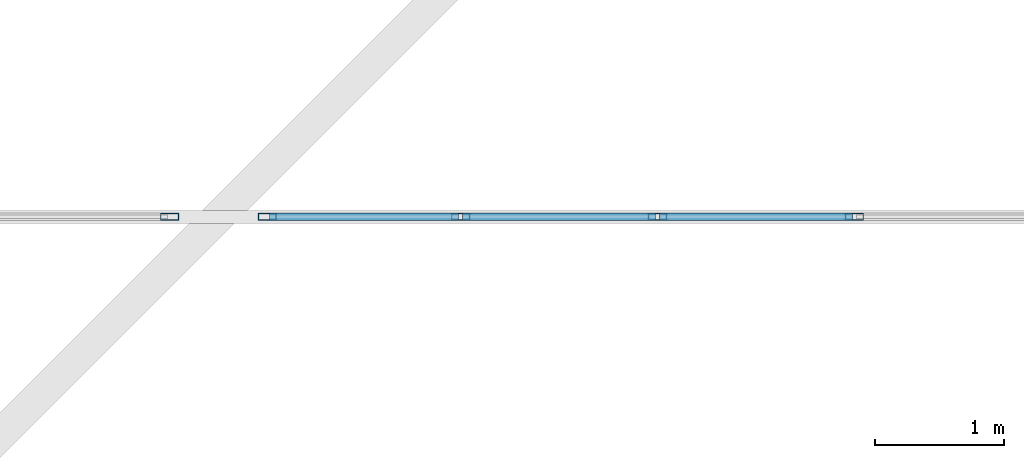
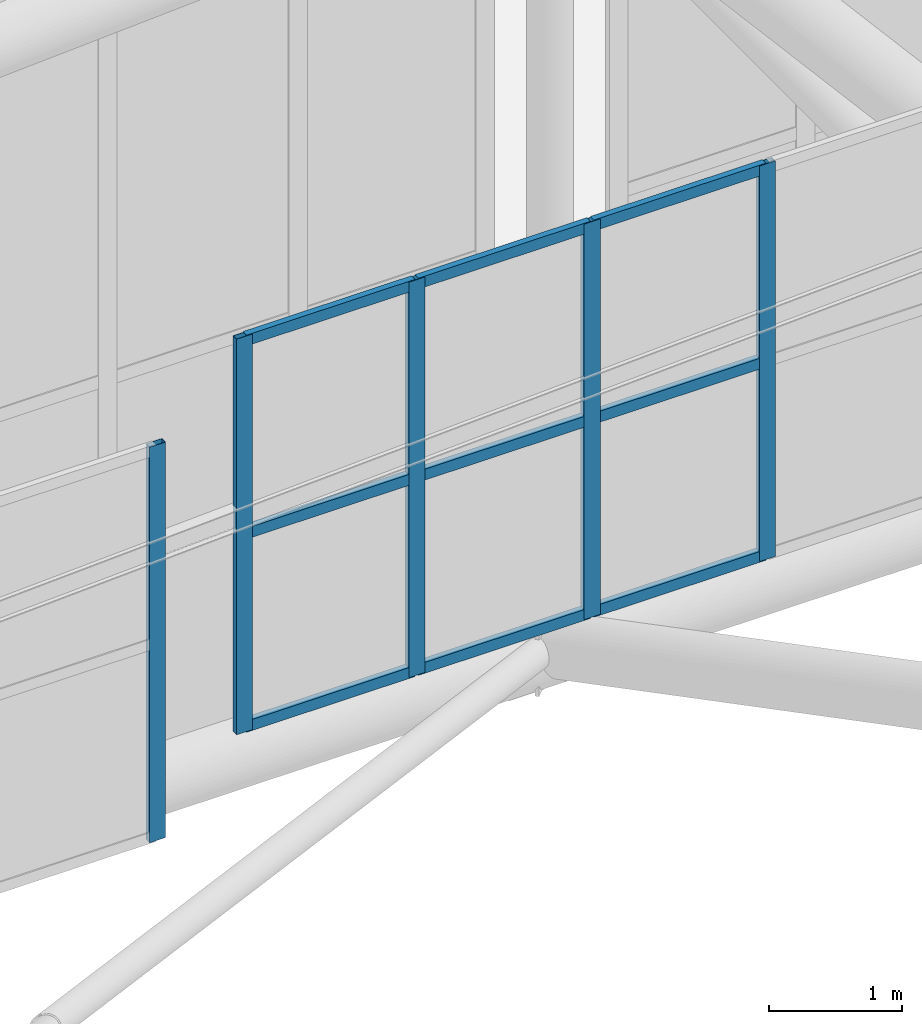
# One storey, part 249 of 397: 14 members, 2 elements without a shape of their own.
"""IFC4 building model written with IfcOpenShell, lengths in metres."""

import ifcopenshell
import ifcopenshell.guid

model = None  # the IFC model being written
_history = None  # IfcOwnerHistory: only IFC2X3 demands one
_inside = {}  # id of a spatial element -> (the spatial element, [elements in it])
_under = {}  # id of a project, library or spatial element -> (it, [spatial elements below it])
_declared = {}  # id of a project -> (the project, [libraries it declares])
_typed = {}  # id of a type object -> (the type object, [elements of that type])
_made_of = {}  # id of a material, layer set ... -> (it, [elements and type objects made of it])


def new_model(schema):
    """Start an empty IFC model of exactly this schema.

    Asked for "IFC4X3", IfcOpenShell would pick the latest addendum, in which some entities
    have other attributes; the version numbers below select the first issue.
    IFC2X3 requires an IfcOwnerHistory on every rooted entity: one is made here for all.
    """
    global model, _history
    if schema == "IFC4X3":
        model = ifcopenshell.file(schema_version=(4, 3, 0, 0))
    else:
        model = ifcopenshell.file(schema=schema)
    _inside.clear()
    _under.clear()
    _declared.clear()
    _typed.clear()
    _made_of.clear()
    _history = None
    if model.schema == "IFC2X3":
        org = make("IfcOrganization", Name="unknown")
        user = make(
            "IfcPersonAndOrganization",
            ThePerson=make("IfcPerson", FamilyName="unknown"),
            TheOrganization=org,
        )
        app = make(
            "IfcApplication",
            ApplicationDeveloper=org,
            Version="unknown",
            ApplicationFullName="unknown",
            ApplicationIdentifier="unknown",
        )
        _history = make(
            "IfcOwnerHistory",
            OwningUser=user,
            OwningApplication=app,
            ChangeAction="ADDED",
            CreationDate=0,
        )
    return model


def make(cls, **values):
    """One entity of the class cls with the attributes given. An attribute that is None is left unset."""
    return model.create_entity(
        cls, **{name: value for name, value in values.items() if value is not None}
    )


def rooted(cls, **values):
    """An entity with a GlobalId (a new one), such as an element, a storey or a relation."""
    return make(cls, GlobalId=ifcopenshell.guid.new(), OwnerHistory=_history, **values)


def si_unit(unit_type, name, prefix=None):
    """IfcSIUnit, for example si_unit("LENGTHUNIT", "METRE", prefix="MILLI")."""
    return make("IfcSIUnit", UnitType=unit_type, Prefix=prefix, Name=name)


def assignment(units):
    """IfcUnitAssignment: the units of a project."""
    return None if units is None else make("IfcUnitAssignment", Units=units)


def point(xyz):
    """IfcCartesianPoint."""
    return None if xyz is None else make("IfcCartesianPoint", Coordinates=xyz)


def direction(xyz):
    """IfcDirection."""
    return None if xyz is None else make("IfcDirection", DirectionRatios=xyz)


def frame(location, z_axis=None, x_axis=None):
    """IfcAxis2Placement3D, a coordinate frame: its origin and axes. An axis left out is left unset."""
    return make(
        "IfcAxis2Placement3D",
        Location=point(location),
        Axis=direction(z_axis),
        RefDirection=direction(x_axis),
    )


def frame_2d(location, x_axis=None):
    """IfcAxis2Placement2D, a coordinate frame in the plane: its origin and x axis."""
    return make(
        "IfcAxis2Placement2D", Location=point(location), RefDirection=direction(x_axis)
    )


def origin():
    """The frame at (0, 0, 0) with its axes left unset."""
    return frame((0.0, 0.0, 0.0))


def origin_2d():
    """The frame at (0, 0) in the plane with its x axis left unset."""
    return frame_2d((0.0, 0.0))


def place(relative_to, where):
    """IfcLocalPlacement: puts the frame where relative to a parent placement (None: the world)."""
    return make(
        "IfcLocalPlacement", PlacementRelTo=relative_to, RelativePlacement=where
    )


def context(
    kind, dimensions, precision=None, world=None, true_north=None, identifier=None
):
    """IfcGeometricRepresentationContext, for example the 3D "Model" context."""
    return make(
        "IfcGeometricRepresentationContext",
        ContextIdentifier=identifier,
        ContextType=kind,
        CoordinateSpaceDimension=dimensions,
        Precision=precision,
        WorldCoordinateSystem=world,
        TrueNorth=true_north,
    )


def subcontext(parent, identifier, kind, view, scale=None):
    """IfcGeometricRepresentationSubContext, for example "Body" below "Model"."""
    return make(
        "IfcGeometricRepresentationSubContext",
        ContextIdentifier=identifier,
        ContextType=kind,
        ParentContext=parent,
        TargetScale=scale,
        TargetView=view,
    )


def project(units=None, contexts=None):
    """IfcProject with its units and contexts."""
    return rooted(
        "IfcProject",
        Name="project",
        RepresentationContexts=contexts,
        UnitsInContext=assignment(units),
    )


def spatial(cls, under=None, at=None, **own):
    """A site, building, storey or space (cls), placed at a placement, below another one or the project."""
    s = rooted(cls, ObjectPlacement=at, **own)
    if under is not None:
        _under.setdefault(under.id(), (under, []))[1].append(s)
    return s


def profile(cls, at=None, kind="AREA", **sizes):
    """A parametric profile (cls). Its sizes go by their IFC names, for example OverallWidth=200.0."""
    return make(cls, ProfileType=kind, Position=at, **sizes)


def hollow_rectangle(**sizes):
    """IfcRectangleHollowProfileDef."""
    return profile("IfcRectangleHollowProfileDef", **sizes)


def extrude(swept, where, along, depth):
    """IfcExtrudedAreaSolid: the profile swept, set in the frame where, extruded along a direction by depth."""
    return make(
        "IfcExtrudedAreaSolid",
        SweptArea=swept,
        Position=where,
        ExtrudedDirection=direction(along),
        Depth=depth,
    )


def shape(context_of_items, identifier, shape_type, items):
    """IfcShapeRepresentation: the items that make up one representation, for example the "Body"."""
    return make(
        "IfcShapeRepresentation",
        ContextOfItems=context_of_items,
        RepresentationIdentifier=identifier,
        RepresentationType=shape_type,
        Items=items,
    )


def material(Name=None, Category=None):
    """IfcMaterial."""
    return make("IfcMaterial", Name=Name, Category=Category)


def material_profile(
    of_material, cross_section, Name=None, Category=None, Priority=None
):
    """IfcMaterialProfile: a cross section and its material."""
    return make(
        "IfcMaterialProfile",
        Name=Name,
        Material=of_material,
        Profile=cross_section,
        Priority=Priority,
        Category=Category,
    )


def profile_set(profiles, Name=None, composite=None):
    """IfcMaterialProfileSet."""
    return make(
        "IfcMaterialProfileSet",
        Name=Name,
        MaterialProfiles=profiles,
        CompositeProfile=composite,
    )


def made_of(thing, what):
    """Note that an element or type object is made of a material, layer set ...; save() writes the relation."""
    if what is not None:
        _made_of.setdefault(what.id(), (what, []))[1].append(thing)
    return thing


def type_object(cls, material=None, **own):
    """A type object (cls), such as IfcWallType, which elements share."""
    return made_of(rooted(cls, **own), material)


def element(
    cls,
    number,
    at=None,
    inside=None,
    cuts=None,
    type_object=None,
    material=None,
    context=None,
    identifier="Body",
    shape_type=None,
    held_by="IfcProductDefinitionShape",
    body=None,
    shapes=None,
    **own,
):
    """One element of the class cls, such as IfcWall. Its Tag is "e" and its number.

    at: its placement. inside: the storey or other place that contains it. cuts: it is an
    opening in that element (IfcRelVoidsElement). A single representation is given by context,
    identifier, shape_type and body (its items); several are given by shapes. held_by: the class
    of the entity that holds the representations. save() writes the other relations.
    """
    e = rooted(cls, Tag="e%d" % number, ObjectPlacement=at, **own)
    if body is not None:
        shapes = [shape(context, identifier, shape_type, body)]
    if shapes is not None:
        e.Representation = make(held_by, Representations=shapes)
    if inside is not None:
        _inside.setdefault(inside.id(), (inside, []))[1].append(e)
    if cuts is not None:
        rooted(
            "IfcRelVoidsElement", RelatingBuildingElement=cuts, RelatedOpeningElement=e
        )
    if type_object is not None:
        _typed.setdefault(type_object.id(), (type_object, []))[1].append(e)
    return made_of(e, material)


def aggregate(whole, parts):
    """IfcRelAggregates: a whole, such as a stair, and the parts it consists of."""
    return rooted("IfcRelAggregates", RelatingObject=whole, RelatedObjects=parts)


def save(model, path):
    """Write the relations noted so far, then the file.

    IfcRelAggregates (storeys below a building ...), IfcRelContainedInSpatialStructure (elements
    in a storey), IfcRelDefinesByType, IfcRelAssociatesMaterial and IfcRelDeclares: one each for
    every whole, place, type object, material and project.
    """
    for whole, parts in _under.values():
        aggregate(whole, parts)
    for where, things in _inside.values():
        rooted(
            "IfcRelContainedInSpatialStructure",
            RelatedElements=things,
            RelatingStructure=where,
        )
    for kind, things in _typed.values():
        rooted("IfcRelDefinesByType", RelatedObjects=things, RelatingType=kind)
    for what, things in _made_of.values():
        rooted("IfcRelAssociatesMaterial", RelatedObjects=things, RelatingMaterial=what)
    for by, libraries in _declared.values():
        rooted("IfcRelDeclares", RelatingContext=by, RelatedDefinitions=libraries)
    model.write(path)


model = new_model("IFC4")

# Units and contexts
model_context = context("Model", 3, precision=1e-05, world=origin(), true_north=direction((0.0, 1.0)))
body_context = subcontext(model_context, "Body", "Model", "MODEL_VIEW")
ifc_project = project(units=[si_unit("LENGTHUNIT", "METRE"), si_unit("AREAUNIT", "SQUARE_METRE"), si_unit("VOLUMEUNIT", "CUBIC_METRE"), si_unit("PLANEANGLEUNIT", "RADIAN"), si_unit("MASSUNIT", "GRAM", prefix="KILO")], contexts=[model_context])

# Site, building, storey
site_placement = place(None, origin())
site = spatial("IfcSite", under=ifc_project, at=site_placement, CompositionType="ELEMENT")
building_placement = place(site_placement, origin())
building = spatial("IfcBuilding", under=site, at=building_placement, Name="Qandorah Velis Arena", CompositionType="ELEMENT")
storey_placement = place(building_placement, frame((0.0, 0.0, 27.5)))
storey = spatial("IfcBuildingStorey", under=building, at=storey_placement, Name="RF", CompositionType="ELEMENT", Elevation=27.5)

# Curtain wall, member
ifc_material_1 = material(Name="Solar-control low-E double glazing", Category="glass")
curtain_wall_type_1 = type_object("IfcCurtainWallType", Name="ARC-CW-SYS02", PredefinedType="USERDEFINED", material=ifc_material_1)
curtain_wall_1_placement = place(storey_placement, origin())
curtain_wall_1 = element("IfcCurtainWall", 1, at=curtain_wall_1_placement, inside=storey, type_object=curtain_wall_type_1, Name="Unitised curtain wall MON-4-2", ObjectType="UNITISED CURTAIN WALL", PredefinedType="USERDEFINED")
ifc_material_2 = material(Name="Champagne-bronze anodized aluminium 6063-T6", Category="aluminium")
ifc_material_profile_1 = material_profile(ifc_material_2, hollow_rectangle(XDim=0.054931640625, YDim=0.139892578125, WallThickness=0.0029296875, at=origin_2d()), Name="ALU MULLION 55x140")
ifc_profile_set_1 = profile_set([ifc_material_profile_1], Name="Champagne-bronze anodized aluminium 6063-T6")
member_type_1 = type_object("IfcMemberType", Name="ARC-CWM-140", PredefinedType="MULLION", material=ifc_profile_set_1)
member_1_placement = place(storey_placement, frame((50.0224609375, 108.0, 5.337646484375), z_axis=(0.0, 0.0, 1.0), x_axis=(0.0, 1.0, 0.0)))
member_1 = element("IfcMember", 2, at=member_1_placement, type_object=member_type_1, Name="CW02 mullion 10", PredefinedType="MULLION", context=body_context, shape_type="SweptSolid", body=[
    extrude(hollow_rectangle(XDim=0.054931640625, YDim=0.139892578125, WallThickness=0.0029296875, at=origin_2d()), origin(), (0.0, 0.0, 1.0), 3.630126953125),
])
aggregate(curtain_wall_1, [member_1])

# Curtain wall, members
curtain_wall_type_2 = type_object("IfcCurtainWallType", Name="ARC-CW-SYS03", PredefinedType="USERDEFINED", material=ifc_material_1)
curtain_wall_2_placement = place(storey_placement, origin())
curtain_wall_2 = element("IfcCurtainWall", 3, at=curtain_wall_2_placement, inside=storey, type_object=curtain_wall_type_2, Name="Unitised curtain wall MON-4-3", ObjectType="UNITISED CURTAIN WALL", PredefinedType="USERDEFINED")
member_2_placement = place(storey_placement, frame((50.777587890625, 108.0, 6.064697265625), z_axis=(0.0, 0.0, 1.0), x_axis=(0.0, 1.0, 0.0)))
member_2 = element("IfcMember", 4, at=member_2_placement, type_object=member_type_1, Name="CW03 mullion 1", PredefinedType="MULLION", context=body_context, shape_type="SweptSolid", body=[
    extrude(hollow_rectangle(XDim=0.054931640625, YDim=0.139892578125, WallThickness=0.0029296875, at=origin_2d()), origin(), (0.0, 0.0, 1.0), 3.6298828125),
])
member_3_placement = place(storey_placement, frame((52.272216796875, 108.0, 6.064697265625), z_axis=(0.0, 0.0, 1.0), x_axis=(0.0, 1.0, 0.0)))
member_3 = element("IfcMember", 5, at=member_3_placement, type_object=member_type_1, Name="CW03 mullion 2", PredefinedType="MULLION", context=body_context, shape_type="SweptSolid", body=[
    extrude(hollow_rectangle(XDim=0.054931640625, YDim=0.139892578125, WallThickness=0.0029296875, at=origin_2d()), origin(), (0.0, 0.0, 1.0), 3.6298828125),
])
member_4_placement = place(storey_placement, frame((53.79443359375, 108.0, 6.064697265625), z_axis=(0.0, 0.0, 1.0), x_axis=(0.0, 1.0, 0.0)))
member_4 = element("IfcMember", 6, at=member_4_placement, type_object=member_type_1, Name="CW03 mullion 3", PredefinedType="MULLION", context=body_context, shape_type="SweptSolid", body=[
    extrude(hollow_rectangle(XDim=0.054931640625, YDim=0.139892578125, WallThickness=0.0029296875, at=origin_2d()), origin(), (0.0, 0.0, 1.0), 3.6298828125),
])
member_5_placement = place(storey_placement, frame((55.316650390625, 108.0, 6.064697265625), z_axis=(0.0, 0.0, 1.0), x_axis=(0.0, 1.0, 0.0)))
member_5 = element("IfcMember", 7, at=member_5_placement, type_object=member_type_1, Name="CW03 mullion 4", PredefinedType="MULLION", context=body_context, shape_type="SweptSolid", body=[
    extrude(hollow_rectangle(XDim=0.054931640625, YDim=0.139892578125, WallThickness=0.0029296875, at=origin_2d()), origin(), (0.0, 0.0, 1.0), 3.6298828125),
])
ifc_material_profile_2 = material_profile(ifc_material_2, hollow_rectangle(XDim=0.054931640625, YDim=0.10009765625, WallThickness=0.0029296875, at=origin_2d()), Name="ALU TRANSOM 55x100")
ifc_profile_set_2 = profile_set([ifc_material_profile_2], Name="Champagne-bronze anodized aluminium 6063-T6")
member_type_2 = type_object("IfcMemberType", Name="ARC-CWT-100", PredefinedType="USERDEFINED", material=ifc_profile_set_2)
member_6_placement = place(storey_placement, frame((50.79296875, 108.0, 6.107177734375), z_axis=(1.0, 0.0, 0.0), x_axis=(0.0, 1.0, 0.0)))
member_6 = element("IfcMember", 8, at=member_6_placement, type_object=member_type_2, Name="CW03 transom 1.1", ObjectType="TRANSOM", PredefinedType="USERDEFINED", context=body_context, shape_type="SweptSolid", body=[
    extrude(hollow_rectangle(XDim=0.054931640625, YDim=0.10009765625, WallThickness=0.0029296875, at=origin_2d()), origin(), (0.0, 0.0, 1.0), 1.463623046875),
])
member_7_placement = place(storey_placement, frame((50.79296875, 108.0, 7.879638671875), z_axis=(1.0, 0.0, 0.0), x_axis=(0.0, 1.0, 0.0)))
member_7 = element("IfcMember", 9, at=member_7_placement, type_object=member_type_2, Name="CW03 transom 1.2", ObjectType="TRANSOM", PredefinedType="USERDEFINED", context=body_context, shape_type="SweptSolid", body=[
    extrude(hollow_rectangle(XDim=0.054931640625, YDim=0.10009765625, WallThickness=0.0029296875, at=origin_2d()), origin(), (0.0, 0.0, 1.0), 1.463623046875),
])
member_8_placement = place(storey_placement, frame((50.79296875, 108.0, 9.652099609375), z_axis=(1.0, 0.0, 0.0), x_axis=(0.0, 1.0, 0.0)))
member_8 = element("IfcMember", 10, at=member_8_placement, type_object=member_type_2, Name="CW03 transom 1.3", ObjectType="TRANSOM", PredefinedType="USERDEFINED", context=body_context, shape_type="SweptSolid", body=[
    extrude(hollow_rectangle(XDim=0.054931640625, YDim=0.10009765625, WallThickness=0.0029296875, at=origin_2d()), origin(), (0.0, 0.0, 1.0), 1.463623046875),
])
member_9_placement = place(storey_placement, frame((52.28759765625, 108.0, 6.107177734375), z_axis=(1.0, 0.0, 0.0), x_axis=(0.0, 1.0, 0.0)))
member_9 = element("IfcMember", 11, at=member_9_placement, type_object=member_type_2, Name="CW03 transom 2.1", ObjectType="TRANSOM", PredefinedType="USERDEFINED", context=body_context, shape_type="SweptSolid", body=[
    extrude(hollow_rectangle(XDim=0.054931640625, YDim=0.10009765625, WallThickness=0.0029296875, at=origin_2d()), origin(), (0.0, 0.0, 1.0), 1.4912109375),
])
member_10_placement = place(storey_placement, frame((52.28759765625, 108.0, 7.879638671875), z_axis=(1.0, 0.0, 0.0), x_axis=(0.0, 1.0, 0.0)))
member_10 = element("IfcMember", 12, at=member_10_placement, type_object=member_type_2, Name="CW03 transom 2.2", ObjectType="TRANSOM", PredefinedType="USERDEFINED", context=body_context, shape_type="SweptSolid", body=[
    extrude(hollow_rectangle(XDim=0.054931640625, YDim=0.10009765625, WallThickness=0.0029296875, at=origin_2d()), origin(), (0.0, 0.0, 1.0), 1.4912109375),
])
member_11_placement = place(storey_placement, frame((52.28759765625, 108.0, 9.652099609375), z_axis=(1.0, 0.0, 0.0), x_axis=(0.0, 1.0, 0.0)))
member_11 = element("IfcMember", 13, at=member_11_placement, type_object=member_type_2, Name="CW03 transom 2.3", ObjectType="TRANSOM", PredefinedType="USERDEFINED", context=body_context, shape_type="SweptSolid", body=[
    extrude(hollow_rectangle(XDim=0.054931640625, YDim=0.10009765625, WallThickness=0.0029296875, at=origin_2d()), origin(), (0.0, 0.0, 1.0), 1.4912109375),
])
member_12_placement = place(storey_placement, frame((53.809814453125, 108.0, 6.107177734375), z_axis=(1.0, 0.0, 0.0), x_axis=(0.0, 1.0, 0.0)))
member_12 = element("IfcMember", 14, at=member_12_placement, type_object=member_type_2, Name="CW03 transom 3.1", ObjectType="TRANSOM", PredefinedType="USERDEFINED", context=body_context, shape_type="SweptSolid", body=[
    extrude(hollow_rectangle(XDim=0.054931640625, YDim=0.10009765625, WallThickness=0.0029296875, at=origin_2d()), origin(), (0.0, 0.0, 1.0), 1.491455078125),
])
member_13_placement = place(storey_placement, frame((53.809814453125, 108.0, 7.879638671875), z_axis=(1.0, 0.0, 0.0), x_axis=(0.0, 1.0, 0.0)))
member_13 = element("IfcMember", 15, at=member_13_placement, type_object=member_type_2, Name="CW03 transom 3.2", ObjectType="TRANSOM", PredefinedType="USERDEFINED", context=body_context, shape_type="SweptSolid", body=[
    extrude(hollow_rectangle(XDim=0.054931640625, YDim=0.10009765625, WallThickness=0.0029296875, at=origin_2d()), origin(), (0.0, 0.0, 1.0), 1.491455078125),
])
member_14_placement = place(storey_placement, frame((53.809814453125, 108.0, 9.652099609375), z_axis=(1.0, 0.0, 0.0), x_axis=(0.0, 1.0, 0.0)))
member_14 = element("IfcMember", 16, at=member_14_placement, type_object=member_type_2, Name="CW03 transom 3.3", ObjectType="TRANSOM", PredefinedType="USERDEFINED", context=body_context, shape_type="SweptSolid", body=[
    extrude(hollow_rectangle(XDim=0.054931640625, YDim=0.10009765625, WallThickness=0.0029296875, at=origin_2d()), origin(), (0.0, 0.0, 1.0), 1.491455078125),
])
aggregate(curtain_wall_2, [member_2, member_3, member_4, member_5, member_6, member_7, member_8, member_9, member_10, member_11, member_12, member_13, member_14])

save(model, "model.ifc")
